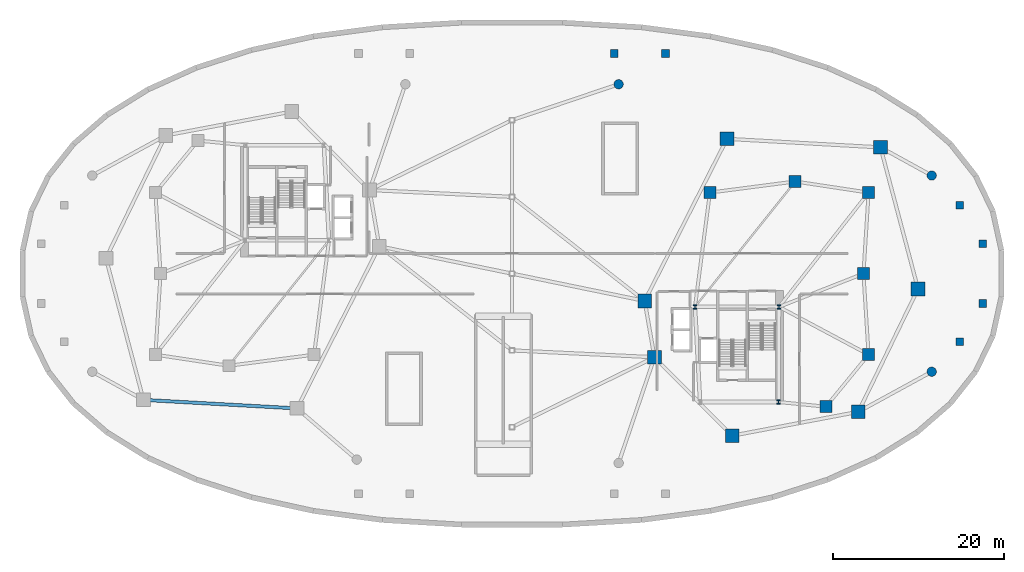
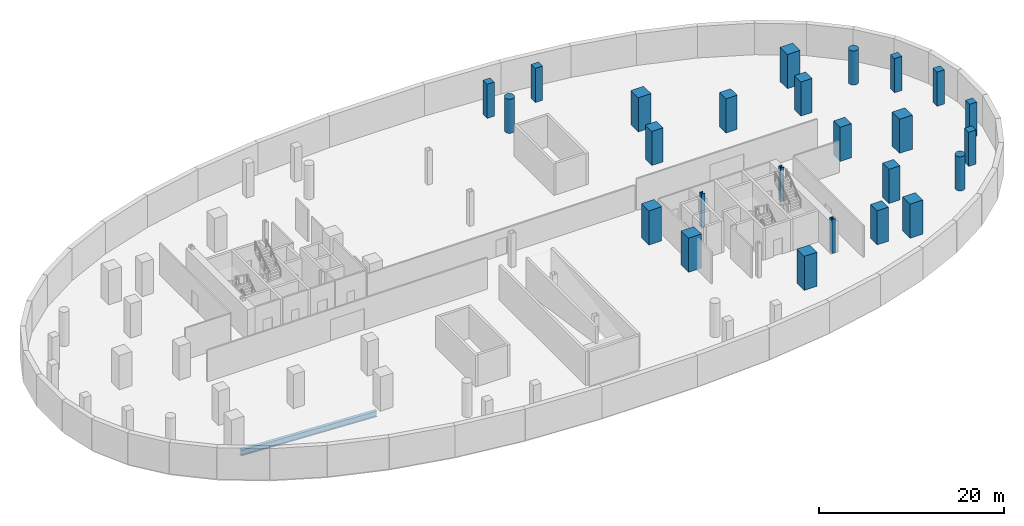
# One storey, part 2 of 10: 25 columns, 1 beam.
"""IFC4 building model written with IfcOpenShell, lengths in metres."""

from ifc_helpers import new_model, si_unit, direction, frame, origin, origin_2d, place, context, subcontext, project, spatial, rectangle, circle, i_section, extrude, material, material_profile, profile_set, type_object, element, save


model = new_model("IFC4")

# Units and contexts
model_context = context("Model", 3, precision=1e-05, world=origin(), true_north=direction((0.0, 1.0)))
body_context = subcontext(model_context, "Body", "Model", "MODEL_VIEW")
ifc_project = project(units=[si_unit("LENGTHUNIT", "METRE"), si_unit("AREAUNIT", "SQUARE_METRE"), si_unit("VOLUMEUNIT", "CUBIC_METRE"), si_unit("PLANEANGLEUNIT", "RADIAN"), si_unit("MASSUNIT", "GRAM", prefix="KILO"), si_unit("THERMODYNAMICTEMPERATUREUNIT", "KELVIN"), si_unit("POWERUNIT", "WATT")], contexts=[model_context])

# Site, building, storey
site_placement = place(None, origin())
site = spatial("IfcSite", under=ifc_project, at=site_placement, CompositionType="ELEMENT")
building_placement = place(site_placement, origin())
building = spatial("IfcBuilding", under=site, at=building_placement, Name="Cundina Bronze Exchange", CompositionType="ELEMENT")
storey_placement = place(building_placement, frame((0.0, 0.0, -4.5)))
storey = spatial("IfcBuildingStorey", under=building, at=storey_placement, Name="B01", CompositionType="ELEMENT", Elevation=-4.5)

# Columns
ifc_material_1 = material(Name="Concrete C60/75", Category="concrete")
ifc_material_profile_1 = material_profile(ifc_material_1, rectangle(XDim=1.39990234375, YDim=1.39990234375, at=origin_2d()), Name="RC1400X1400", Category="concrete")
ifc_profile_set_1 = profile_set([ifc_material_profile_1], Name="Concrete C60/75")
column_type_1 = type_object("IfcColumnType", Name="COL-MEGA-1400", PredefinedType="COLUMN", material=ifc_profile_set_1)
for number, where, z_axis, x_axis, name in (
    (1, (41.199951171875, 0.0, 0.0), (0.0, 0.0, 1.0), (1.0, 0.0, 0.0), "B01 E Inner Ring Column 1"),
    (2, (41.800048828125, -9.5, 0.0), (0.0, 0.0, 1.0), (1.0, 0.0, 0.0), "B01 E Inner Ring Column 2"),
    (3, (36.800048828125, -15.60009765625, 0.0), (0.0, 0.0, 1.0), (1.0, 0.0, 0.0), "B01 E Inner Ring Column 3"),
    (4, (41.800048828125, 9.5, 0.0), (0.0, 0.0, 1.0), (1.0, 0.0, 0.0), "B01 E Inner Ring Column 4"),
    (5, (33.199951171875, 10.800048828125, 0.0), (0.0, 0.0, 1.0), (1.0, 0.0, 0.0), "B01 E Inner Ring Column 5"),
    (6, (23.199951171875, 9.5, 0.0), (0.0, 0.0, 1.0), (1.0, 0.0, 0.0), "B01 E Inner Ring Column 6"),
):
    element("IfcColumn", number, at=place(storey_placement, frame(where, z_axis=z_axis, x_axis=x_axis)), inside=storey, type_object=column_type_1, Name=name, PredefinedType="COLUMN", context=body_context, shape_type="SweptSolid", body=[
        extrude(rectangle(XDim=1.39990234375, YDim=1.39990234375, at=origin_2d()), origin(), (0.0, 0.0, 1.0), 4.5),
    ])
ifc_material_profile_2 = material_profile(ifc_material_1, rectangle(XDim=1.60009765625, YDim=1.60009765625, at=origin_2d()), Name="RC1600X1600", Category="concrete")
ifc_profile_set_2 = profile_set([ifc_material_profile_2], Name="Concrete C60/75")
column_type_2 = type_object("IfcColumnType", Name="COL-MEGA-1600", PredefinedType="COLUMN", material=ifc_profile_set_2)
for number, where, z_axis, x_axis, name in (
    (7, (15.550048828125, -3.199951171875, 0.0), (0.0, 0.0, 1.0), (1.0, 0.0, 0.0), "B01 E Podium Mega-Column 00"),
    (8, (16.699951171875, -9.800048828125, 0.0), (0.0, 0.0, 1.0), (1.0, 0.0, 0.0), "B01 E Podium Mega-Column 02"),
    (9, (25.800048828125, -19.0, 0.0), (0.0, 0.0, 1.0), (1.0, 0.0, 0.0), "B01 E Podium Mega-Column 04"),
    (10, (40.60009765625, -16.199951171875, 0.0), (0.0, 0.0, 1.0), (1.0, 0.0, 0.0), "B01 E Podium Mega-Column 06"),
    (11, (47.60009765625, -1.800048828125, 0.0), (0.0, 0.0, 1.0), (1.0, 0.0, 0.0), "B01 E Podium Mega-Column 08"),
    (12, (43.199951171875, 14.800048828125, 0.0), (0.0, 0.0, 1.0), (1.0, 0.0, 0.0), "B01 E Podium Mega-Column 10"),
    (13, (25.199951171875, 15.800048828125, 0.0), (0.0, 0.0, 1.0), (1.0, 0.0, 0.0), "B01 E Podium Mega-Column 12"),
):
    element("IfcColumn", number, at=place(storey_placement, frame(where, z_axis=z_axis, x_axis=x_axis)), inside=storey, type_object=column_type_2, Name=name, PredefinedType="COLUMN", context=body_context, shape_type="SweptSolid", body=[
        extrude(rectangle(XDim=1.60009765625, YDim=1.60009765625, at=origin_2d()), origin(), (0.0, 0.0, 1.0), 4.5),
    ])
ifc_material_profile_3 = material_profile(ifc_material_1, circle(Radius=0.550048828125, at=origin_2d()), Name="RC1100D", Category="concrete")
ifc_profile_set_3 = profile_set([ifc_material_profile_3], Name="Concrete C60/75")
column_type_3 = type_object("IfcColumnType", Name="COL-PIL-1100D", PredefinedType="PILASTER", material=ifc_profile_set_3)
for number, where, z_axis, x_axis, name in (
    (14, (12.5, 22.199951171875, 0.0), (0.0, 0.0, 1.0), (1.0, 0.0, 0.0), "B01 Podium Colonnade Pilaster 04"),
    (15, (49.199951171875, 11.5, 0.0), (0.0, 0.0, 1.0), (1.0, 0.0, 0.0), "B01 Podium Colonnade Pilaster 07"),
    (16, (49.199951171875, -11.5, 0.0), (0.0, 0.0, 1.0), (1.0, 0.0, 0.0), "B01 Podium Colonnade Pilaster 08"),
):
    element("IfcColumn", number, at=place(storey_placement, frame(where, z_axis=z_axis, x_axis=x_axis)), inside=storey, type_object=column_type_3, Name=name, PredefinedType="PILASTER", context=body_context, shape_type="SweptSolid", body=[
        extrude(circle(Radius=0.550048828125, at=origin_2d()), origin(), (0.0, 0.0, 1.0), 4.5),
    ])
ifc_material_2 = material(Name="Steel ASTM A992 Grade 50", Category="steel")
ifc_material_profile_4 = material_profile(ifc_material_2, i_section(OverallWidth=0.431884765625, OverallDepth=0.498046875, WebThickness=0.0556640625, FlangeThickness=0.0888671875, FilletRadius=0.01806640625, at=origin_2d()), Name="W14X500", Category="steel")
ifc_profile_set_4 = profile_set([ifc_material_profile_4], Name="Steel ASTM A992 Grade 50")
column_type_4 = type_object("IfcColumnType", Name="COL-STL-W14A", PredefinedType="COLUMN", material=ifc_profile_set_4)
for number, where, z_axis, x_axis, name in (
    (17, (31.300048828125, -3.89990234375, 0.0), (0.0, 0.0, 1.0), (1.0, 0.0, 0.0), "B01 Core Anchor Column E1"),
    (18, (21.449951171875, -3.89990234375, 0.0), (0.0, 0.0, 1.0), (1.0, 0.0, 0.0), "B01 Core Anchor Column E2"),
    (19, (31.25, -15.050048828125, 0.0), (0.0, 0.0, 1.0), (1.0, 0.0, 0.0), "B01 Core Anchor Column E4"),
):
    element("IfcColumn", number, at=place(storey_placement, frame(where, z_axis=z_axis, x_axis=x_axis)), inside=storey, type_object=column_type_4, Name=name, PredefinedType="COLUMN", context=body_context, shape_type="SweptSolid", body=[
        extrude(i_section(OverallWidth=0.431884765625, OverallDepth=0.498046875, WebThickness=0.0556640625, FlangeThickness=0.0888671875, FilletRadius=0.01806640625, at=origin_2d()), origin(), (0.0, 0.0, 1.0), 4.5),
    ])
ifc_material_3 = material(Name="Concrete C50/60", Category="concrete")
ifc_material_profile_5 = material_profile(ifc_material_3, rectangle(XDim=0.89990234375, YDim=0.89990234375, at=origin_2d()), Name="RC900X900", Category="concrete")
ifc_profile_set_5 = profile_set([ifc_material_profile_5], Name="Concrete C50/60")
column_type_5 = type_object("IfcColumnType", Name="COL-Z4-900", PredefinedType="COLUMN", material=ifc_profile_set_5)
for number, where, z_axis, x_axis, name in (
    (20, (52.5, -8.0, 0.0), (0.0, 0.0, 1.0), (1.0, 0.0, 0.0), "B01 Podium Crescent Wing Column E1"),
    (21, (52.5, 8.0, 0.0), (0.0, 0.0, 1.0), (1.0, 0.0, 0.0), "B01 Podium Crescent Wing Column E2"),
    (22, (55.199951171875, -3.5, 0.0), (0.0, 0.0, 1.0), (1.0, 0.0, 0.0), "B01 Podium Crescent Wing Column E3"),
    (23, (55.199951171875, 3.5, 0.0), (0.0, 0.0, 1.0), (1.0, 0.0, 0.0), "B01 Podium Crescent Wing Column E4"),
    (24, (12.0, 25.800048828125, 0.0), (0.0, 0.0, 1.0), (1.0, 0.0, 0.0), "B01 North Canopy Support Pier 07"),
    (25, (18.0, 25.800048828125, 0.0), (0.0, 0.0, 1.0), (1.0, 0.0, 0.0), "B01 North Canopy Support Pier 08"),
):
    element("IfcColumn", number, at=place(storey_placement, frame(where, z_axis=z_axis, x_axis=x_axis)), inside=storey, type_object=column_type_5, Name=name, PredefinedType="COLUMN", context=body_context, shape_type="SweptSolid", body=[
        extrude(rectangle(XDim=0.89990234375, YDim=0.89990234375, at=origin_2d()), origin(), (0.0, 0.0, 1.0), 4.5),
    ])

# Beam
ifc_material_profile_6 = material_profile(ifc_material_2, i_section(OverallWidth=0.381103515625, OverallDepth=0.77294921875, WebThickness=0.0166015625, FlangeThickness=0.027099609375, FilletRadius=0.01904296875, at=origin_2d()), Name="W30X173", Category="steel")
ifc_profile_set_6 = profile_set([ifc_material_profile_6], Name="Steel ASTM A992 Grade 50")
beam_type = type_object("IfcBeamType", Name="BM-RING-W30", PredefinedType="USERDEFINED", material=ifc_profile_set_6)
beam_placement = place(storey_placement, frame((-42.4130859375, -14.84375, -0.736572265625), z_axis=(0.998460261881, -0.05547166343, 0.0), x_axis=(0.05547166343, 0.998460261881, 0.0)))
element("IfcBeam", 26, at=beam_placement, inside=storey, type_object=beam_type, Name="B01 W Podium Ring Girder 10", ObjectType="GIRDER", PredefinedType="USERDEFINED", context=body_context, shape_type="SweptSolid", body=[
    extrude(i_section(OverallWidth=0.381103515625, OverallDepth=0.77294921875, WebThickness=0.0166015625, FlangeThickness=0.027099609375, FilletRadius=0.01904296875, at=origin_2d()), origin(), (0.0, 0.0, 1.0), 16.45166015625),
])

save(model, "model.ifc")
